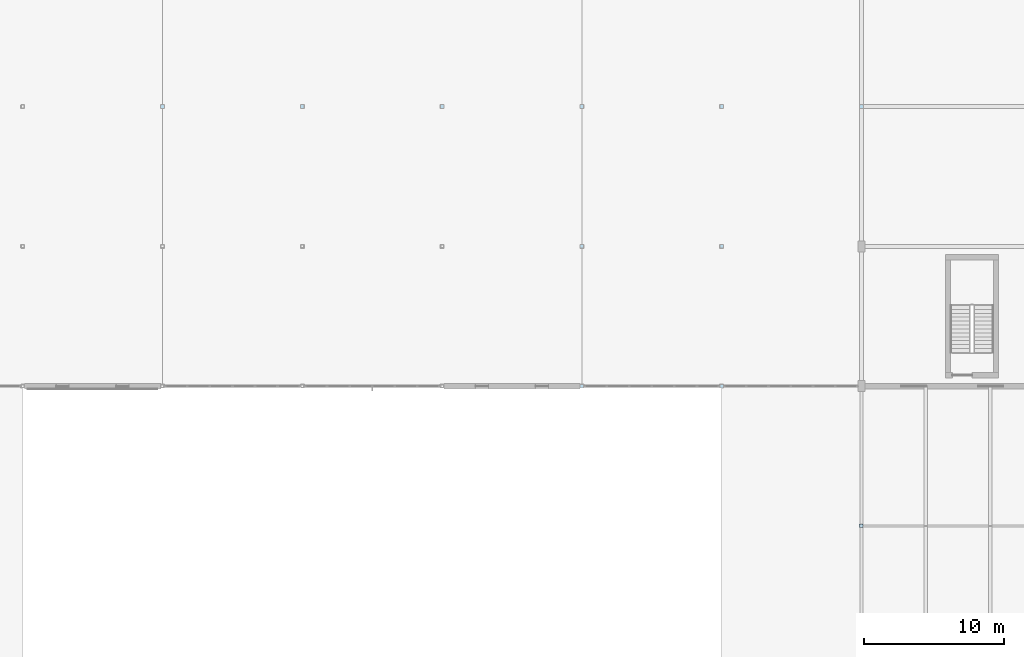
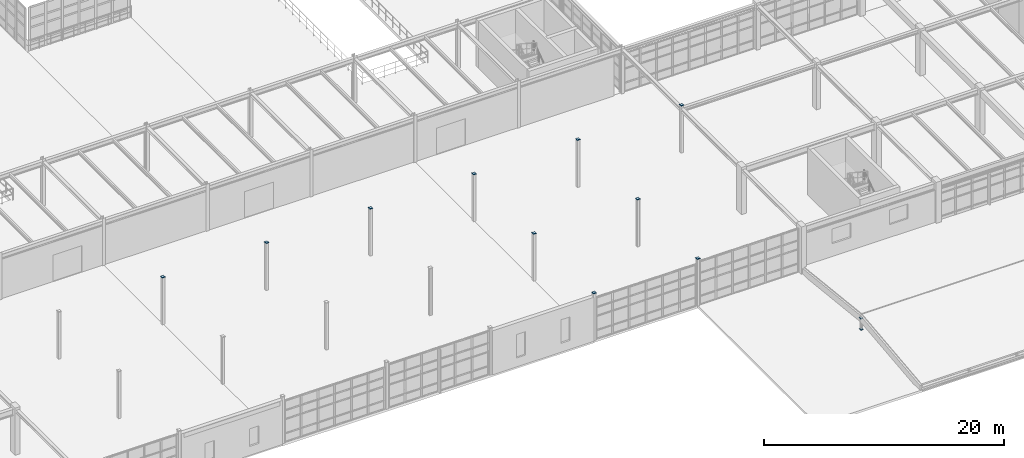
# One storey, part 110 of 139: 12 plates.
"""IFC4 building model written with IfcOpenShell, lengths in metres."""

import ifcopenshell
import ifcopenshell.guid

model = None  # the IFC model being written
_history = None  # IfcOwnerHistory: only IFC2X3 demands one
_inside = {}  # id of a spatial element -> (the spatial element, [elements in it])
_under = {}  # id of a project, library or spatial element -> (it, [spatial elements below it])
_declared = {}  # id of a project -> (the project, [libraries it declares])
_typed = {}  # id of a type object -> (the type object, [elements of that type])
_made_of = {}  # id of a material, layer set ... -> (it, [elements and type objects made of it])


def new_model(schema):
    """Start an empty IFC model of exactly this schema.

    Asked for "IFC4X3", IfcOpenShell would pick the latest addendum, in which some entities
    have other attributes; the version numbers below select the first issue.
    IFC2X3 requires an IfcOwnerHistory on every rooted entity: one is made here for all.
    """
    global model, _history
    if schema == "IFC4X3":
        model = ifcopenshell.file(schema_version=(4, 3, 0, 0))
    else:
        model = ifcopenshell.file(schema=schema)
    _inside.clear()
    _under.clear()
    _declared.clear()
    _typed.clear()
    _made_of.clear()
    _history = None
    if model.schema == "IFC2X3":
        org = make("IfcOrganization", Name="unknown")
        user = make(
            "IfcPersonAndOrganization",
            ThePerson=make("IfcPerson", FamilyName="unknown"),
            TheOrganization=org,
        )
        app = make(
            "IfcApplication",
            ApplicationDeveloper=org,
            Version="unknown",
            ApplicationFullName="unknown",
            ApplicationIdentifier="unknown",
        )
        _history = make(
            "IfcOwnerHistory",
            OwningUser=user,
            OwningApplication=app,
            ChangeAction="ADDED",
            CreationDate=0,
        )
    return model


def make(cls, **values):
    """One entity of the class cls with the attributes given. An attribute that is None is left unset."""
    return model.create_entity(
        cls, **{name: value for name, value in values.items() if value is not None}
    )


def rooted(cls, **values):
    """An entity with a GlobalId (a new one), such as an element, a storey or a relation."""
    return make(cls, GlobalId=ifcopenshell.guid.new(), OwnerHistory=_history, **values)


def si_unit(unit_type, name, prefix=None):
    """IfcSIUnit, for example si_unit("LENGTHUNIT", "METRE", prefix="MILLI")."""
    return make("IfcSIUnit", UnitType=unit_type, Prefix=prefix, Name=name)


def assignment(units):
    """IfcUnitAssignment: the units of a project."""
    return None if units is None else make("IfcUnitAssignment", Units=units)


def point(xyz):
    """IfcCartesianPoint."""
    return None if xyz is None else make("IfcCartesianPoint", Coordinates=xyz)


def direction(xyz):
    """IfcDirection."""
    return None if xyz is None else make("IfcDirection", DirectionRatios=xyz)


def frame(location, z_axis=None, x_axis=None):
    """IfcAxis2Placement3D, a coordinate frame: its origin and axes. An axis left out is left unset."""
    return make(
        "IfcAxis2Placement3D",
        Location=point(location),
        Axis=direction(z_axis),
        RefDirection=direction(x_axis),
    )


def frame_2d(location, x_axis=None):
    """IfcAxis2Placement2D, a coordinate frame in the plane: its origin and x axis."""
    return make(
        "IfcAxis2Placement2D", Location=point(location), RefDirection=direction(x_axis)
    )


def origin():
    """The frame at (0, 0, 0) with its axes left unset."""
    return frame((0.0, 0.0, 0.0))


def origin_2d():
    """The frame at (0, 0) in the plane with its x axis left unset."""
    return frame_2d((0.0, 0.0))


def place(relative_to, where):
    """IfcLocalPlacement: puts the frame where relative to a parent placement (None: the world)."""
    return make(
        "IfcLocalPlacement", PlacementRelTo=relative_to, RelativePlacement=where
    )


def context(
    kind, dimensions, precision=None, world=None, true_north=None, identifier=None
):
    """IfcGeometricRepresentationContext, for example the 3D "Model" context."""
    return make(
        "IfcGeometricRepresentationContext",
        ContextIdentifier=identifier,
        ContextType=kind,
        CoordinateSpaceDimension=dimensions,
        Precision=precision,
        WorldCoordinateSystem=world,
        TrueNorth=true_north,
    )


def subcontext(parent, identifier, kind, view, scale=None):
    """IfcGeometricRepresentationSubContext, for example "Body" below "Model"."""
    return make(
        "IfcGeometricRepresentationSubContext",
        ContextIdentifier=identifier,
        ContextType=kind,
        ParentContext=parent,
        TargetScale=scale,
        TargetView=view,
    )


def project(units=None, contexts=None):
    """IfcProject with its units and contexts."""
    return rooted(
        "IfcProject",
        Name="project",
        RepresentationContexts=contexts,
        UnitsInContext=assignment(units),
    )


def spatial(cls, under=None, at=None, **own):
    """A site, building, storey or space (cls), placed at a placement, below another one or the project."""
    s = rooted(cls, ObjectPlacement=at, **own)
    if under is not None:
        _under.setdefault(under.id(), (under, []))[1].append(s)
    return s


def profile(cls, at=None, kind="AREA", **sizes):
    """A parametric profile (cls). Its sizes go by their IFC names, for example OverallWidth=200.0."""
    return make(cls, ProfileType=kind, Position=at, **sizes)


def rectangle(**sizes):
    """IfcRectangleProfileDef."""
    return profile("IfcRectangleProfileDef", **sizes)


def extrude(swept, where, along, depth):
    """IfcExtrudedAreaSolid: the profile swept, set in the frame where, extruded along a direction by depth."""
    return make(
        "IfcExtrudedAreaSolid",
        SweptArea=swept,
        Position=where,
        ExtrudedDirection=direction(along),
        Depth=depth,
    )


def shape(context_of_items, identifier, shape_type, items):
    """IfcShapeRepresentation: the items that make up one representation, for example the "Body"."""
    return make(
        "IfcShapeRepresentation",
        ContextOfItems=context_of_items,
        RepresentationIdentifier=identifier,
        RepresentationType=shape_type,
        Items=items,
    )


def material(Name=None, Category=None):
    """IfcMaterial."""
    return make("IfcMaterial", Name=Name, Category=Category)


def layer(
    of_material, thickness, ventilated=None, Name=None, Category=None, Priority=None
):
    """IfcMaterialLayer: one layer of a wall or slab, of a material (None: an air gap)."""
    return make(
        "IfcMaterialLayer",
        Material=of_material,
        LayerThickness=thickness,
        IsVentilated=ventilated,
        Name=Name,
        Category=Category,
        Priority=Priority,
    )


def layer_set(layers, Name=None):
    """IfcMaterialLayerSet."""
    return make("IfcMaterialLayerSet", MaterialLayers=layers, LayerSetName=Name)


def made_of(thing, what):
    """Note that an element or type object is made of a material, layer set ...; save() writes the relation."""
    if what is not None:
        _made_of.setdefault(what.id(), (what, []))[1].append(thing)
    return thing


def type_object(cls, material=None, **own):
    """A type object (cls), such as IfcWallType, which elements share."""
    return made_of(rooted(cls, **own), material)


def element(
    cls,
    number,
    at=None,
    inside=None,
    cuts=None,
    type_object=None,
    material=None,
    context=None,
    identifier="Body",
    shape_type=None,
    held_by="IfcProductDefinitionShape",
    body=None,
    shapes=None,
    **own,
):
    """One element of the class cls, such as IfcWall. Its Tag is "e" and its number.

    at: its placement. inside: the storey or other place that contains it. cuts: it is an
    opening in that element (IfcRelVoidsElement). A single representation is given by context,
    identifier, shape_type and body (its items); several are given by shapes. held_by: the class
    of the entity that holds the representations. save() writes the other relations.
    """
    e = rooted(cls, Tag="e%d" % number, ObjectPlacement=at, **own)
    if body is not None:
        shapes = [shape(context, identifier, shape_type, body)]
    if shapes is not None:
        e.Representation = make(held_by, Representations=shapes)
    if inside is not None:
        _inside.setdefault(inside.id(), (inside, []))[1].append(e)
    if cuts is not None:
        rooted(
            "IfcRelVoidsElement", RelatingBuildingElement=cuts, RelatedOpeningElement=e
        )
    if type_object is not None:
        _typed.setdefault(type_object.id(), (type_object, []))[1].append(e)
    return made_of(e, material)


def aggregate(whole, parts):
    """IfcRelAggregates: a whole, such as a stair, and the parts it consists of."""
    return rooted("IfcRelAggregates", RelatingObject=whole, RelatedObjects=parts)


def save(model, path):
    """Write the relations noted so far, then the file.

    IfcRelAggregates (storeys below a building ...), IfcRelContainedInSpatialStructure (elements
    in a storey), IfcRelDefinesByType, IfcRelAssociatesMaterial and IfcRelDeclares: one each for
    every whole, place, type object, material and project.
    """
    for whole, parts in _under.values():
        aggregate(whole, parts)
    for where, things in _inside.values():
        rooted(
            "IfcRelContainedInSpatialStructure",
            RelatedElements=things,
            RelatingStructure=where,
        )
    for kind, things in _typed.values():
        rooted("IfcRelDefinesByType", RelatedObjects=things, RelatingType=kind)
    for what, things in _made_of.values():
        rooted("IfcRelAssociatesMaterial", RelatedObjects=things, RelatingMaterial=what)
    for by, libraries in _declared.values():
        rooted("IfcRelDeclares", RelatingContext=by, RelatedDefinitions=libraries)
    model.write(path)


model = new_model("IFC4")

# Units and contexts
model_context = context("Model", 3, precision=1e-05, world=origin(), true_north=direction((0.0, 1.0)))
body_context = subcontext(model_context, "Body", "Model", "MODEL_VIEW")
ifc_project = project(units=[si_unit("LENGTHUNIT", "METRE"), si_unit("AREAUNIT", "SQUARE_METRE"), si_unit("VOLUMEUNIT", "CUBIC_METRE"), si_unit("PLANEANGLEUNIT", "RADIAN"), si_unit("MASSUNIT", "GRAM", prefix="KILO"), si_unit("THERMODYNAMICTEMPERATUREUNIT", "KELVIN"), si_unit("POWERUNIT", "WATT")], contexts=[model_context])

# Site, building, storey
site_placement = place(None, origin())
site = spatial("IfcSite", under=ifc_project, at=site_placement, CompositionType="ELEMENT")
building_placement = place(site_placement, origin())
building = spatial("IfcBuilding", under=site, at=building_placement, Name="Korenveer Ferry Terminal", CompositionType="ELEMENT")
storey_placement = place(building_placement, frame((0.0, 0.0, 5.39990234375)))
storey = spatial("IfcBuildingStorey", under=building, at=storey_placement, Name="L01", CompositionType="ELEMENT", Elevation=5.39990234375)

# Plates
ifc_material = material(Name="Steel S355", Category="steel")
ifc_layer = layer(ifc_material, 0.031982421875)
ifc_layer_set = layer_set([ifc_layer], Name="Steel S355")
plate_type = type_object("IfcPlateType", Name="STR-PLT-CAP32", PredefinedType="USERDEFINED", material=ifc_layer_set)
for number, where, z_axis, x_axis, name in (
    (1, (73.0, 40.0, 4.80029296875), (0.0, 0.0, 1.0), (1.0, 0.0, 0.0), "Hollow section end cap 53"),
    (2, (83.0, 40.0, 4.80029296875), (0.0, 0.0, 1.0), (1.0, 0.0, 0.0), "Hollow section end cap 56"),
    (3, (93.0, 40.0, 4.80029296875), (0.0, 0.0, 1.0), (1.0, 0.0, 0.0), "Hollow section end cap 59"),
    (4, (103.0, 20.0, 4.80029296875), (0.0, 0.0, 1.0), (1.0, 0.0, 0.0), "Hollow section end cap 60"),
    (5, (103.0, 30.0, 4.80029296875), (0.0, 0.0, 1.0), (1.0, 0.0, 0.0), "Hollow section end cap 61"),
    (6, (103.0, 40.0, 4.80029296875), (0.0, 0.0, 1.0), (1.0, 0.0, 0.0), "Hollow section end cap 62"),
    (7, (113.0, 20.0, 4.80029296875), (0.0, 0.0, 1.0), (1.0, 0.0, 0.0), "Hollow section end cap 63"),
    (8, (113.0, 30.0, 4.80029296875), (0.0, 0.0, 1.0), (1.0, 0.0, 0.0), "Hollow section end cap 64"),
    (9, (113.0, 40.0, 4.80029296875), (0.0, 0.0, 1.0), (1.0, 0.0, 0.0), "Hollow section end cap 65"),
    (10, (123.0, 40.0, 4.80029296875), (0.0, 0.0, 1.0), (1.0, 0.0, 0.0), "Hollow section end cap 66"),
):
    element("IfcPlate", number, at=place(storey_placement, frame(where, z_axis=z_axis, x_axis=x_axis)), inside=storey, type_object=plate_type, Name=name, ObjectType="END CAP PLATE", PredefinedType="USERDEFINED", context=body_context, shape_type="SweptSolid", body=[
        extrude(rectangle(XDim=0.280029296875, YDim=0.280029296875, at=origin_2d()), origin(), (0.0, 0.0, 1.0), 0.031982421875),
    ])
for number, where, z_axis, x_axis, name in (
    (11, (123.0, 10.0, 0.14794921875), (0.0, 0.0, 1.0), (1.0, 0.0, 0.0), "Hollow section end cap 530"),
    (12, (123.0, 10.0, 1.2802734375), (0.0, 0.0, 1.0), (1.0, 0.0, 0.0), "Hollow section end cap 531"),
):
    element("IfcPlate", number, at=place(storey_placement, frame(where, z_axis=z_axis, x_axis=x_axis)), inside=storey, type_object=plate_type, Name=name, ObjectType="END CAP PLATE", PredefinedType="USERDEFINED", context=body_context, shape_type="SweptSolid", body=[
        extrude(rectangle(XDim=0.2490234375, YDim=0.2490234375, at=origin_2d()), origin(), (0.0, 0.0, 1.0), 0.031982421875),
    ])

save(model, "model.ifc")
